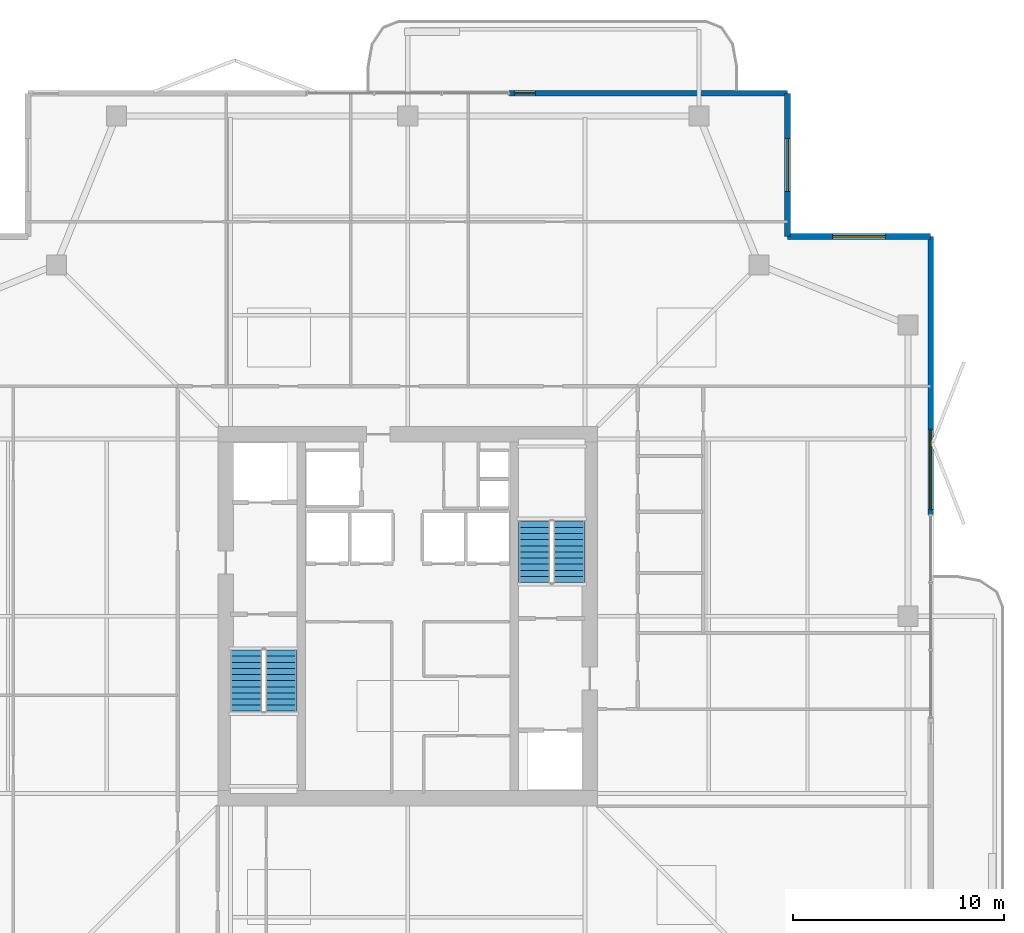
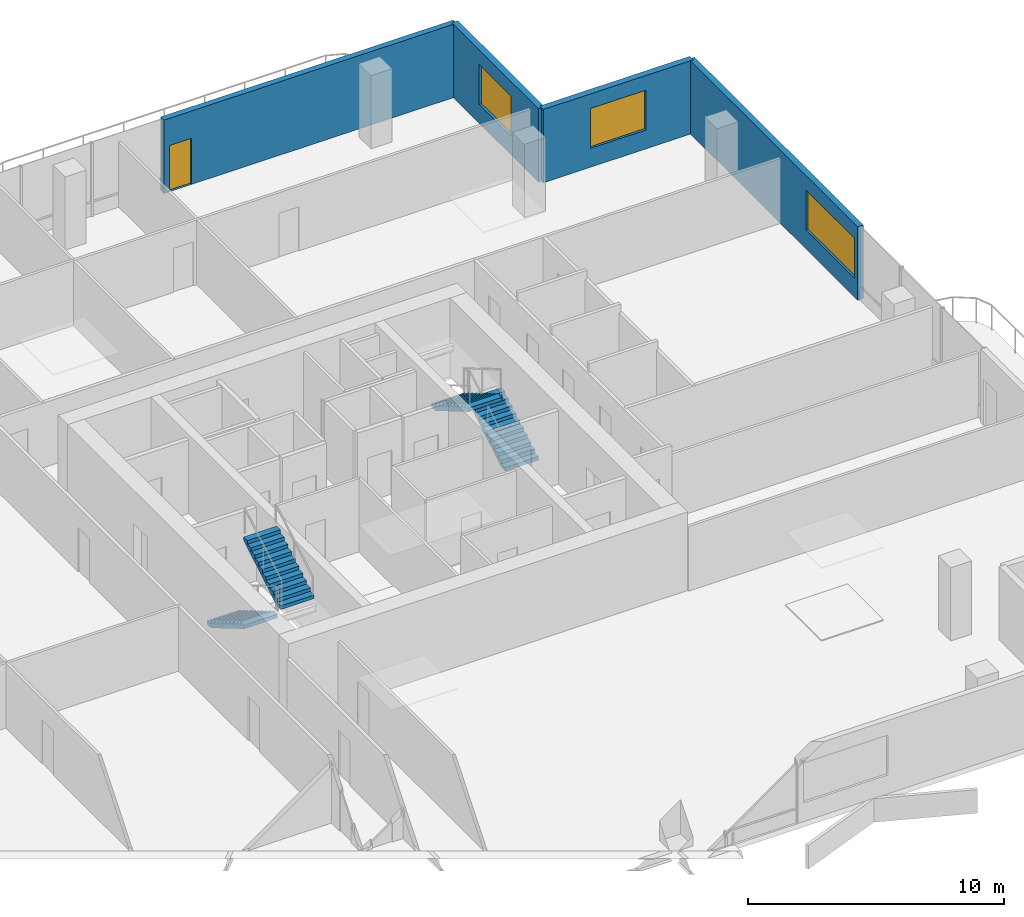
# One storey, part 21 of 25: 4 stair flights, 4 walls, 3 windows, 1 door, 4 openings, 2 elements without a shape of their own.
"""IFC4 building model written with IfcOpenShell, lengths in metres."""

import ifcopenshell
import ifcopenshell.guid

model = None  # the IFC model being written
_history = None  # IfcOwnerHistory: only IFC2X3 demands one
_inside = {}  # id of a spatial element -> (the spatial element, [elements in it])
_under = {}  # id of a project, library or spatial element -> (it, [spatial elements below it])
_declared = {}  # id of a project -> (the project, [libraries it declares])
_typed = {}  # id of a type object -> (the type object, [elements of that type])
_made_of = {}  # id of a material, layer set ... -> (it, [elements and type objects made of it])


def new_model(schema):
    """Start an empty IFC model of exactly this schema.

    Asked for "IFC4X3", IfcOpenShell would pick the latest addendum, in which some entities
    have other attributes; the version numbers below select the first issue.
    IFC2X3 requires an IfcOwnerHistory on every rooted entity: one is made here for all.
    """
    global model, _history
    if schema == "IFC4X3":
        model = ifcopenshell.file(schema_version=(4, 3, 0, 0))
    else:
        model = ifcopenshell.file(schema=schema)
    _inside.clear()
    _under.clear()
    _declared.clear()
    _typed.clear()
    _made_of.clear()
    _history = None
    if model.schema == "IFC2X3":
        org = make("IfcOrganization", Name="unknown")
        user = make(
            "IfcPersonAndOrganization",
            ThePerson=make("IfcPerson", FamilyName="unknown"),
            TheOrganization=org,
        )
        app = make(
            "IfcApplication",
            ApplicationDeveloper=org,
            Version="unknown",
            ApplicationFullName="unknown",
            ApplicationIdentifier="unknown",
        )
        _history = make(
            "IfcOwnerHistory",
            OwningUser=user,
            OwningApplication=app,
            ChangeAction="ADDED",
            CreationDate=0,
        )
    return model


def make(cls, **values):
    """One entity of the class cls with the attributes given. An attribute that is None is left unset."""
    return model.create_entity(
        cls, **{name: value for name, value in values.items() if value is not None}
    )


def rooted(cls, **values):
    """An entity with a GlobalId (a new one), such as an element, a storey or a relation."""
    return make(cls, GlobalId=ifcopenshell.guid.new(), OwnerHistory=_history, **values)


def si_unit(unit_type, name, prefix=None):
    """IfcSIUnit, for example si_unit("LENGTHUNIT", "METRE", prefix="MILLI")."""
    return make("IfcSIUnit", UnitType=unit_type, Prefix=prefix, Name=name)


def assignment(units):
    """IfcUnitAssignment: the units of a project."""
    return None if units is None else make("IfcUnitAssignment", Units=units)


def point(xyz):
    """IfcCartesianPoint."""
    return None if xyz is None else make("IfcCartesianPoint", Coordinates=xyz)


def direction(xyz):
    """IfcDirection."""
    return None if xyz is None else make("IfcDirection", DirectionRatios=xyz)


def frame(location, z_axis=None, x_axis=None):
    """IfcAxis2Placement3D, a coordinate frame: its origin and axes. An axis left out is left unset."""
    return make(
        "IfcAxis2Placement3D",
        Location=point(location),
        Axis=direction(z_axis),
        RefDirection=direction(x_axis),
    )


def frame_2d(location, x_axis=None):
    """IfcAxis2Placement2D, a coordinate frame in the plane: its origin and x axis."""
    return make(
        "IfcAxis2Placement2D", Location=point(location), RefDirection=direction(x_axis)
    )


def origin():
    """The frame at (0, 0, 0) with its axes left unset."""
    return frame((0.0, 0.0, 0.0))


def place(relative_to, where):
    """IfcLocalPlacement: puts the frame where relative to a parent placement (None: the world)."""
    return make(
        "IfcLocalPlacement", PlacementRelTo=relative_to, RelativePlacement=where
    )


def context(
    kind, dimensions, precision=None, world=None, true_north=None, identifier=None
):
    """IfcGeometricRepresentationContext, for example the 3D "Model" context."""
    return make(
        "IfcGeometricRepresentationContext",
        ContextIdentifier=identifier,
        ContextType=kind,
        CoordinateSpaceDimension=dimensions,
        Precision=precision,
        WorldCoordinateSystem=world,
        TrueNorth=true_north,
    )


def subcontext(parent, identifier, kind, view, scale=None):
    """IfcGeometricRepresentationSubContext, for example "Body" below "Model"."""
    return make(
        "IfcGeometricRepresentationSubContext",
        ContextIdentifier=identifier,
        ContextType=kind,
        ParentContext=parent,
        TargetScale=scale,
        TargetView=view,
    )


def project(units=None, contexts=None):
    """IfcProject with its units and contexts."""
    return rooted(
        "IfcProject",
        Name="project",
        RepresentationContexts=contexts,
        UnitsInContext=assignment(units),
    )


def spatial(cls, under=None, at=None, **own):
    """A site, building, storey or space (cls), placed at a placement, below another one or the project."""
    s = rooted(cls, ObjectPlacement=at, **own)
    if under is not None:
        _under.setdefault(under.id(), (under, []))[1].append(s)
    return s


def polyline(points):
    """IfcPolyline through the points."""
    return make("IfcPolyline", Points=[point(p) for p in points])


def profile(cls, at=None, kind="AREA", **sizes):
    """A parametric profile (cls). Its sizes go by their IFC names, for example OverallWidth=200.0."""
    return make(cls, ProfileType=kind, Position=at, **sizes)


def rectangle(**sizes):
    """IfcRectangleProfileDef."""
    return profile("IfcRectangleProfileDef", **sizes)


def outline(outer, holes=None, kind="AREA"):
    """IfcArbitraryClosedProfileDef: a profile drawn as a closed curve; with holes, ...WithVoids."""
    if holes is None:
        return make("IfcArbitraryClosedProfileDef", ProfileType=kind, OuterCurve=outer)
    return make(
        "IfcArbitraryProfileDefWithVoids",
        ProfileType=kind,
        OuterCurve=outer,
        InnerCurves=holes,
    )


def extrude(swept, where, along, depth):
    """IfcExtrudedAreaSolid: the profile swept, set in the frame where, extruded along a direction by depth."""
    return make(
        "IfcExtrudedAreaSolid",
        SweptArea=swept,
        Position=where,
        ExtrudedDirection=direction(along),
        Depth=depth,
    )


def shape(context_of_items, identifier, shape_type, items):
    """IfcShapeRepresentation: the items that make up one representation, for example the "Body"."""
    return make(
        "IfcShapeRepresentation",
        ContextOfItems=context_of_items,
        RepresentationIdentifier=identifier,
        RepresentationType=shape_type,
        Items=items,
    )


def material(Name=None, Category=None):
    """IfcMaterial."""
    return make("IfcMaterial", Name=Name, Category=Category)


def layer(
    of_material, thickness, ventilated=None, Name=None, Category=None, Priority=None
):
    """IfcMaterialLayer: one layer of a wall or slab, of a material (None: an air gap)."""
    return make(
        "IfcMaterialLayer",
        Material=of_material,
        LayerThickness=thickness,
        IsVentilated=ventilated,
        Name=Name,
        Category=Category,
        Priority=Priority,
    )


def layer_set(layers, Name=None):
    """IfcMaterialLayerSet."""
    return make("IfcMaterialLayerSet", MaterialLayers=layers, LayerSetName=Name)


def made_of(thing, what):
    """Note that an element or type object is made of a material, layer set ...; save() writes the relation."""
    if what is not None:
        _made_of.setdefault(what.id(), (what, []))[1].append(thing)
    return thing


def type_object(cls, material=None, **own):
    """A type object (cls), such as IfcWallType, which elements share."""
    return made_of(rooted(cls, **own), material)


def element(
    cls,
    number,
    at=None,
    inside=None,
    cuts=None,
    type_object=None,
    material=None,
    context=None,
    identifier="Body",
    shape_type=None,
    held_by="IfcProductDefinitionShape",
    body=None,
    shapes=None,
    **own,
):
    """One element of the class cls, such as IfcWall. Its Tag is "e" and its number.

    at: its placement. inside: the storey or other place that contains it. cuts: it is an
    opening in that element (IfcRelVoidsElement). A single representation is given by context,
    identifier, shape_type and body (its items); several are given by shapes. held_by: the class
    of the entity that holds the representations. save() writes the other relations.
    """
    e = rooted(cls, Tag="e%d" % number, ObjectPlacement=at, **own)
    if body is not None:
        shapes = [shape(context, identifier, shape_type, body)]
    if shapes is not None:
        e.Representation = make(held_by, Representations=shapes)
    if inside is not None:
        _inside.setdefault(inside.id(), (inside, []))[1].append(e)
    if cuts is not None:
        rooted(
            "IfcRelVoidsElement", RelatingBuildingElement=cuts, RelatedOpeningElement=e
        )
    if type_object is not None:
        _typed.setdefault(type_object.id(), (type_object, []))[1].append(e)
    return made_of(e, material)


def fill(opening, filler):
    """IfcRelFillsElement: the door or window that sits in an opening."""
    return rooted(
        "IfcRelFillsElement",
        RelatingOpeningElement=opening,
        RelatedBuildingElement=filler,
    )


def aggregate(whole, parts):
    """IfcRelAggregates: a whole, such as a stair, and the parts it consists of."""
    return rooted("IfcRelAggregates", RelatingObject=whole, RelatedObjects=parts)


def save(model, path):
    """Write the relations noted so far, then the file.

    IfcRelAggregates (storeys below a building ...), IfcRelContainedInSpatialStructure (elements
    in a storey), IfcRelDefinesByType, IfcRelAssociatesMaterial and IfcRelDeclares: one each for
    every whole, place, type object, material and project.
    """
    for whole, parts in _under.values():
        aggregate(whole, parts)
    for where, things in _inside.values():
        rooted(
            "IfcRelContainedInSpatialStructure",
            RelatedElements=things,
            RelatingStructure=where,
        )
    for kind, things in _typed.values():
        rooted("IfcRelDefinesByType", RelatedObjects=things, RelatingType=kind)
    for what, things in _made_of.values():
        rooted("IfcRelAssociatesMaterial", RelatedObjects=things, RelatingMaterial=what)
    for by, libraries in _declared.values():
        rooted("IfcRelDeclares", RelatingContext=by, RelatedDefinitions=libraries)
    model.write(path)


model = new_model("IFC4")

# Units and contexts
model_context = context("Model", 3, precision=1e-05, world=origin(), true_north=direction((0.0, 1.0)))
body_context = subcontext(model_context, "Body", "Model", "MODEL_VIEW")
ifc_project = project(units=[si_unit("LENGTHUNIT", "METRE"), si_unit("AREAUNIT", "SQUARE_METRE"), si_unit("VOLUMEUNIT", "CUBIC_METRE"), si_unit("PLANEANGLEUNIT", "RADIAN"), si_unit("MASSUNIT", "GRAM", prefix="KILO")], contexts=[model_context])

# Site, building, storey
site_placement = place(None, origin())
site = spatial("IfcSite", under=ifc_project, at=site_placement, CompositionType="ELEMENT")
building_placement = place(site_placement, origin())
building = spatial("IfcBuilding", under=site, at=building_placement, Name="Belovzor Exchange Tower", CompositionType="ELEMENT")
storey_placement = place(building_placement, frame((0.0, 0.0, 254.10009765625)))
storey = spatial("IfcBuildingStorey", under=building, at=storey_placement, Name="L63", CompositionType="ELEMENT", Elevation=254.10009765625)

# Wall, opening, window
ifc_material_1 = material(Name="Precast concrete C40/50", Category="concrete")
ifc_layer_1 = layer(ifc_material_1, 0.280029296875)
ifc_layer_set_1 = layer_set([ifc_layer_1], Name="Precast concrete C40/50")
wall_type_1 = type_object("IfcWallType", Name="Precast Concrete Notched Corner Frame Wall 280", PredefinedType="SOLIDWALL", material=ifc_layer_set_1)
wall_1_placement = place(storey_placement, frame((46.800048828125, 53.570068359375, 0.0), z_axis=(0.0, 0.0, 1.0), x_axis=(0.0, -1.0, 0.0)))
wall_1 = element("IfcWall", 1, at=wall_1_placement, inside=storey, type_object=wall_type_1, Name="W-CRN280 Precast Concrete Notched Corner Frame Wall 280 L63", PredefinedType="SOLIDWALL", context=body_context, shape_type="SweptSolid", body=[
    extrude(rectangle(XDim=6.77001953125, YDim=0.280029296875, at=frame_2d((3.385009765625, 0.0))), origin(), (0.0, 0.0, 1.0), 3.5),
])
opening_1_placement = place(wall_1_placement, frame((2.135009765625, 0.0, 0.89990234375)))
opening_1 = element("IfcOpeningElement", 2, at=opening_1_placement, cuts=wall_1, Name="Opening WN-CRN250", PredefinedType="OPENING", context=body_context, shape_type="SweptSolid", body=[
    extrude(rectangle(XDim=2.5, YDim=1.89990234375, at=frame_2d((1.25, 0.949951171875))), frame((0.0, 0.14990234375, 0.0), z_axis=(0.0, -1.0, 0.0), x_axis=(1.0, 0.0, 0.0)), (0.0, 0.0, 1.0), 0.300048828125),
])
ifc_material_2 = material(Name="Thermally Broken Aluminium and Triple Glazing", Category="aluminium")
window_type_1 = type_object("IfcWindowType", Name="Streamline Moderne Corner Wrap Ribbon Window 2500x1900", PartitioningType="SINGLE_PANEL", PredefinedType="WINDOW", material=ifc_material_2)
window_1_placement = place(opening_1_placement, origin())
window_1 = element("IfcWindow", 3, at=window_1_placement, inside=storey, type_object=window_type_1, Name="WN-CRN250 Streamline Moderne Corner Wrap Ribbon Window 2500x1900", OverallHeight=1.89990234375, OverallWidth=2.5, PartitioningType="SINGLE_PANEL", PredefinedType="WINDOW", context=body_context, shape_type="SweptSolid", body=[
    extrude(rectangle(XDim=2.5, YDim=1.89990234375, at=frame_2d((1.25, 0.949951171875))), frame((0.0, 0.030029296875, 0.0), z_axis=(0.0, -1.0, 0.0), x_axis=(1.0, 0.0, 0.0)), (0.0, 0.0, 1.0), 0.06005859375),
])
fill(opening_1, window_1)

wall_2_placement = place(storey_placement, frame((46.800048828125, 46.800048828125, 0.0), z_axis=(0.0, 0.0, 1.0), x_axis=(1.0, 0.0, 0.0)))
wall_2 = element("IfcWall", 4, at=wall_2_placement, inside=storey, type_object=wall_type_1, Name="W-CRN280 Precast Concrete Notched Corner Frame Wall 280 L63", PredefinedType="SOLIDWALL", context=body_context, shape_type="SweptSolid", body=[
    extrude(rectangle(XDim=6.77001953125, YDim=0.280029296875, at=frame_2d((3.385009765625, 0.0))), origin(), (0.0, 0.0, 1.0), 3.5),
])
opening_2_placement = place(wall_2_placement, frame((2.135009765625, 0.0, 0.89990234375)))
opening_2 = element("IfcOpeningElement", 5, at=opening_2_placement, cuts=wall_2, Name="Opening WN-CRN250", PredefinedType="OPENING", context=body_context, shape_type="SweptSolid", body=[
    extrude(rectangle(XDim=2.5, YDim=1.89990234375, at=frame_2d((1.25, 0.949951171875))), frame((0.0, 0.14990234375, 0.0), z_axis=(0.0, -1.0, 0.0), x_axis=(1.0, 0.0, 0.0)), (0.0, 0.0, 1.0), 0.300048828125),
])
window_2_placement = place(opening_2_placement, origin())
window_2 = element("IfcWindow", 6, at=window_2_placement, inside=storey, type_object=window_type_1, Name="WN-CRN250 Streamline Moderne Corner Wrap Ribbon Window 2500x1900", OverallHeight=1.89990234375, OverallWidth=2.5, PartitioningType="SINGLE_PANEL", PredefinedType="WINDOW", context=body_context, shape_type="SweptSolid", body=[
    extrude(rectangle(XDim=2.5, YDim=1.89990234375, at=frame_2d((1.25, 0.949951171875))), frame((0.0, 0.030029296875, 0.0), z_axis=(0.0, -1.0, 0.0), x_axis=(1.0, 0.0, 0.0)), (0.0, 0.0, 1.0), 0.06005859375),
])
fill(opening_2, window_2)

# Wall, opening, door
ifc_material_3 = material(Name="Precast concrete C40/50", Category="concrete")
ifc_layer_2 = layer(ifc_material_3, 0.260009765625)
ifc_layer_set_2 = layer_set([ifc_layer_2], Name="Precast concrete C40/50")
wall_type_2 = type_object("IfcWallType", Name="Precast Concrete Perimeter Loggia Frame Wall 260", PredefinedType="SOLIDWALL", material=ifc_layer_set_2)
wall_3_placement = place(storey_placement, frame((33.60009765625, 53.570068359375, 0.0), z_axis=(0.0, 0.0, 1.0), x_axis=(1.0, 0.0, 0.0)))
wall_3 = element("IfcWall", 7, at=wall_3_placement, inside=storey, type_object=wall_type_2, Name="W-EXT260 Precast Concrete Perimeter Loggia Frame Wall 260 L63", PredefinedType="SOLIDWALL", context=body_context, shape_type="SweptSolid", body=[
    extrude(rectangle(XDim=13.199951171875, YDim=0.260009765625, at=frame_2d((6.60009765625, 0.0))), origin(), (0.0, 0.0, 1.0), 3.5),
])
opening_3_placement = place(wall_3_placement, frame((0.25, 0.0, 0.0)))
opening_3 = element("IfcOpeningElement", 8, at=opening_3_placement, cuts=wall_3, Name="Opening D-BAL100", PredefinedType="OPENING", context=body_context, shape_type="SweptSolid", body=[
    extrude(rectangle(XDim=1.0, YDim=2.199951171875, at=frame_2d((0.5, 1.10009765625))), frame((0.0, 0.139892578125, 0.0), z_axis=(0.0, -1.0, 0.0), x_axis=(1.0, 0.0, 0.0)), (0.0, 0.0, 1.0), 0.280029296875),
])
ifc_material_4 = material(Name="Thermally Broken Anodised Aluminium and Laminated Glass", Category="aluminium")
door_type = type_object("IfcDoorType", Name="Planted Loggia Terrace Glazed Door 1000x2200", OperationType="SINGLE_SWING_LEFT", PredefinedType="DOOR", material=ifc_material_4)
door_placement = place(opening_3_placement, origin())
door = element("IfcDoor", 9, at=door_placement, inside=storey, type_object=door_type, Name="D-BAL100 Balcony Terrace Door L63 N", OperationType="SINGLE_SWING_RIGHT", OverallHeight=2.199951171875, OverallWidth=1.0, PredefinedType="DOOR", context=body_context, shape_type="SweptSolid", body=[
    extrude(rectangle(XDim=1.0, YDim=2.199951171875, at=frame_2d((0.5, 1.10009765625))), frame((0.0, 0.02490234375, 0.0), z_axis=(0.0, -1.0, 0.0), x_axis=(1.0, 0.0, 0.0)), (0.0, 0.0, 1.0), 0.050048828125),
])
fill(opening_3, door)

# Wall, opening, window
wall_4_placement = place(storey_placement, frame((53.570068359375, 46.800048828125, 0.0), z_axis=(0.0, 0.0, 1.0), x_axis=(0.0, -1.0, 0.0)))
wall_4 = element("IfcWall", 10, at=wall_4_placement, inside=storey, type_object=wall_type_2, Name="W-EXT260 Precast Concrete Perimeter Loggia Frame Wall 260 L63", PredefinedType="SOLIDWALL", context=body_context, shape_type="SweptSolid", body=[
    extrude(rectangle(XDim=13.199951171875, YDim=0.260009765625, at=frame_2d((6.60009765625, 0.0))), origin(), (0.0, 0.0, 1.0), 3.5),
])
opening_4_placement = place(wall_4_placement, frame((9.14990234375, 0.0, 0.89990234375)))
opening_4 = element("IfcOpeningElement", 11, at=opening_4_placement, cuts=wall_4, Name="Opening WN-RIB380", PredefinedType="OPENING", context=body_context, shape_type="SweptSolid", body=[
    extrude(rectangle(XDim=3.800048828125, YDim=1.89990234375, at=frame_2d((1.89990234375, 0.949951171875))), frame((0.0, 0.139892578125, 0.0), z_axis=(0.0, -1.0, 0.0), x_axis=(1.0, 0.0, 0.0)), (0.0, 0.0, 1.0), 0.280029296875),
])
ifc_material_5 = material(Name="Thermally Broken Aluminium and Triple Glazing", Category="aluminium")
window_type_2 = type_object("IfcWindowType", Name="Streamline Moderne Horizontal Ribbon Window 3800x1900", PartitioningType="SINGLE_PANEL", PredefinedType="WINDOW", material=ifc_material_5)
window_3_placement = place(opening_4_placement, origin())
window_3 = element("IfcWindow", 12, at=window_3_placement, inside=storey, type_object=window_type_2, Name="WN-RIB380 Streamline Moderne Horizontal Ribbon Window 3800x1900", OverallHeight=1.89990234375, OverallWidth=3.800048828125, PartitioningType="SINGLE_PANEL", PredefinedType="WINDOW", context=body_context, shape_type="SweptSolid", body=[
    extrude(rectangle(XDim=3.800048828125, YDim=1.89990234375, at=frame_2d((1.89990234375, 0.949951171875))), frame((0.0, 0.030029296875, 0.0), z_axis=(0.0, -1.0, 0.0), x_axis=(1.0, 0.0, 0.0)), (0.0, 0.0, 1.0), 0.06005859375),
])
fill(opening_4, window_3)

# Stair, stair flights
ifc_material_6 = material(Name="Concrete C40/50", Category="concrete")
stair_type = type_object("IfcStairType", Name="Reinforced Concrete Dogleg Escape Stair 1350", PredefinedType="HALF_TURN_STAIR", material=ifc_material_6)
stair_1_placement = place(storey_placement, origin())
stair_1 = element("IfcStair", 13, at=stair_1_placement, inside=storey, type_object=stair_type, Name="L63 ST-1", PredefinedType="HALF_TURN_STAIR")
ifc_material_7 = material(Name="Concrete C40/50", Category="concrete")
stair_flight_type = type_object("IfcStairFlightType", Name="Reinforced Concrete Stair Flight 1350", PredefinedType="STRAIGHT", material=ifc_material_7)
stair_flight_1_placement = place(storey_placement, frame((21.14990234375, 27.199951171875, 0.0), z_axis=(0.0, 0.0, 1.0), x_axis=(0.0, -1.0, 0.0)))
stair_flight_1 = element("IfcStairFlight", 14, at=stair_flight_1_placement, type_object=stair_flight_type, Name="ST-1 flight 1", NumberOfRisers=11, NumberOfTreads=10, PredefinedType="STRAIGHT", RiserHeight=0.170454545, TreadLength=0.29, context=body_context, shape_type="SweptSolid", body=[
    extrude(outline(polyline([(0.0, 0.0), (0.0, 0.17041015625), (0.2900390625, 0.17041015625), (0.2900390625, 0.3408203125), (0.580078125, 0.3408203125), (0.580078125, 0.511474609375), (0.8701171875, 0.511474609375), (0.8701171875, 0.681884765625), (1.159912109375, 0.681884765625), (1.159912109375, 0.852294921875), (1.449951171875, 0.852294921875), (1.449951171875, 1.022705078125), (1.739990234375, 1.022705078125), (1.739990234375, 1.193115234375), (2.030029296875, 1.193115234375), (2.030029296875, 1.363525390625), (2.320068359375, 1.363525390625), (2.320068359375, 1.5341796875), (2.610107421875, 1.5341796875), (2.610107421875, 1.70458984375), (2.89990234375, 1.70458984375), (2.89990234375, 1.875), (2.89990234375, 1.53076171875), (0.2958984375, 0.0), (0.0, 0.0)])), frame((0.0, 0.75, 0.0), z_axis=(0.0, -1.0, 0.0), x_axis=(1.0, 0.0, 0.0)), (0.0, 0.0, 1.0), 1.5),
])
stair_flight_2_placement = place(storey_placement, frame((22.800048828125, 24.300048828125, 1.875), z_axis=(0.0, 0.0, 1.0), x_axis=(0.0, 1.0, 0.0)))
stair_flight_2 = element("IfcStairFlight", 15, at=stair_flight_2_placement, type_object=stair_flight_type, Name="ST-1 flight 2", NumberOfRisers=11, NumberOfTreads=10, PredefinedType="STRAIGHT", RiserHeight=0.170454545, TreadLength=0.29, context=body_context, shape_type="SweptSolid", body=[
    extrude(outline(polyline([(0.0, 0.0), (0.0, 0.17041015625), (0.2900390625, 0.17041015625), (0.2900390625, 0.3408203125), (0.580078125, 0.3408203125), (0.580078125, 0.511474609375), (0.8701171875, 0.511474609375), (0.8701171875, 0.681884765625), (1.159912109375, 0.681884765625), (1.159912109375, 0.852294921875), (1.449951171875, 0.852294921875), (1.449951171875, 1.022705078125), (1.739990234375, 1.022705078125), (1.739990234375, 1.193115234375), (2.030029296875, 1.193115234375), (2.030029296875, 1.363525390625), (2.320068359375, 1.363525390625), (2.320068359375, 1.5341796875), (2.610107421875, 1.5341796875), (2.610107421875, 1.70458984375), (2.89990234375, 1.70458984375), (2.89990234375, 1.875), (2.89990234375, 1.53076171875), (0.2958984375, 0.0), (0.0, 0.0)])), frame((0.0, 0.75, 0.0), z_axis=(0.0, -1.0, 0.0), x_axis=(1.0, 0.0, 0.0)), (0.0, 0.0, 1.0), 1.5),
])
aggregate(stair_1, [stair_flight_1, stair_flight_2])

stair_2_placement = place(storey_placement, origin())
stair_2 = element("IfcStair", 16, at=stair_2_placement, inside=storey, type_object=stair_type, Name="L63 ST-2", PredefinedType="HALF_TURN_STAIR")
stair_flight_3_placement = place(storey_placement, frame((36.449951171875, 30.39990234375, 0.0), z_axis=(0.0, 0.0, 1.0), x_axis=(0.0, 1.0, 0.0)))
stair_flight_3 = element("IfcStairFlight", 17, at=stair_flight_3_placement, type_object=stair_flight_type, Name="ST-2 flight 1", NumberOfRisers=11, NumberOfTreads=10, PredefinedType="STRAIGHT", RiserHeight=0.170454545, TreadLength=0.29, context=body_context, shape_type="SweptSolid", body=[
    extrude(outline(polyline([(0.0, 0.0), (0.0, 0.17041015625), (0.2900390625, 0.17041015625), (0.2900390625, 0.3408203125), (0.580078125, 0.3408203125), (0.580078125, 0.511474609375), (0.8701171875, 0.511474609375), (0.8701171875, 0.681884765625), (1.159912109375, 0.681884765625), (1.159912109375, 0.852294921875), (1.449951171875, 0.852294921875), (1.449951171875, 1.022705078125), (1.739990234375, 1.022705078125), (1.739990234375, 1.193115234375), (2.030029296875, 1.193115234375), (2.030029296875, 1.363525390625), (2.320068359375, 1.363525390625), (2.320068359375, 1.5341796875), (2.610107421875, 1.5341796875), (2.610107421875, 1.70458984375), (2.89990234375, 1.70458984375), (2.89990234375, 1.875), (2.89990234375, 1.53076171875), (0.2958984375, 0.0), (0.0, 0.0)])), frame((0.0, 0.75, 0.0), z_axis=(0.0, -1.0, 0.0), x_axis=(1.0, 0.0, 0.0)), (0.0, 0.0, 1.0), 1.5),
])
stair_flight_4_placement = place(storey_placement, frame((34.800048828125, 33.300048828125, 1.875), z_axis=(0.0, 0.0, 1.0), x_axis=(0.0, -1.0, 0.0)))
stair_flight_4 = element("IfcStairFlight", 18, at=stair_flight_4_placement, type_object=stair_flight_type, Name="ST-2 flight 2", NumberOfRisers=11, NumberOfTreads=10, PredefinedType="STRAIGHT", RiserHeight=0.170454545, TreadLength=0.29, context=body_context, shape_type="SweptSolid", body=[
    extrude(outline(polyline([(0.0, 0.0), (0.0, 0.17041015625), (0.2900390625, 0.17041015625), (0.2900390625, 0.3408203125), (0.580078125, 0.3408203125), (0.580078125, 0.511474609375), (0.8701171875, 0.511474609375), (0.8701171875, 0.681884765625), (1.159912109375, 0.681884765625), (1.159912109375, 0.852294921875), (1.449951171875, 0.852294921875), (1.449951171875, 1.022705078125), (1.739990234375, 1.022705078125), (1.739990234375, 1.193115234375), (2.030029296875, 1.193115234375), (2.030029296875, 1.363525390625), (2.320068359375, 1.363525390625), (2.320068359375, 1.5341796875), (2.610107421875, 1.5341796875), (2.610107421875, 1.70458984375), (2.89990234375, 1.70458984375), (2.89990234375, 1.875), (2.89990234375, 1.53076171875), (0.2958984375, 0.0), (0.0, 0.0)])), frame((0.0, 0.75, 0.0), z_axis=(0.0, -1.0, 0.0), x_axis=(1.0, 0.0, 0.0)), (0.0, 0.0, 1.0), 1.5),
])
aggregate(stair_2, [stair_flight_3, stair_flight_4])

save(model, "model.ifc")
